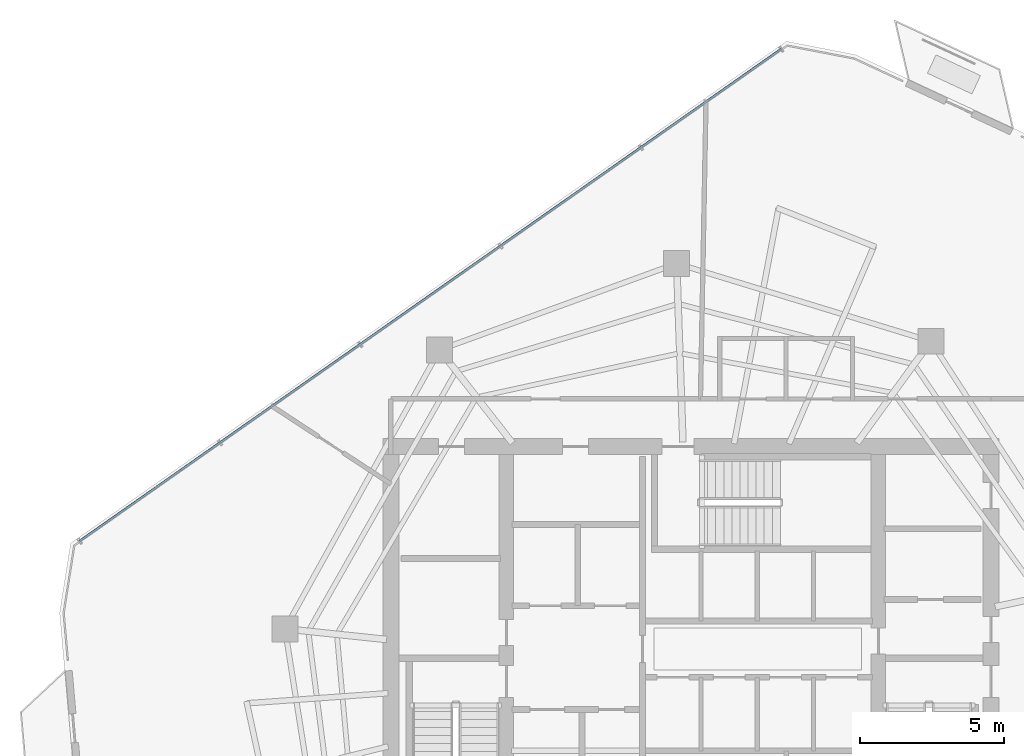
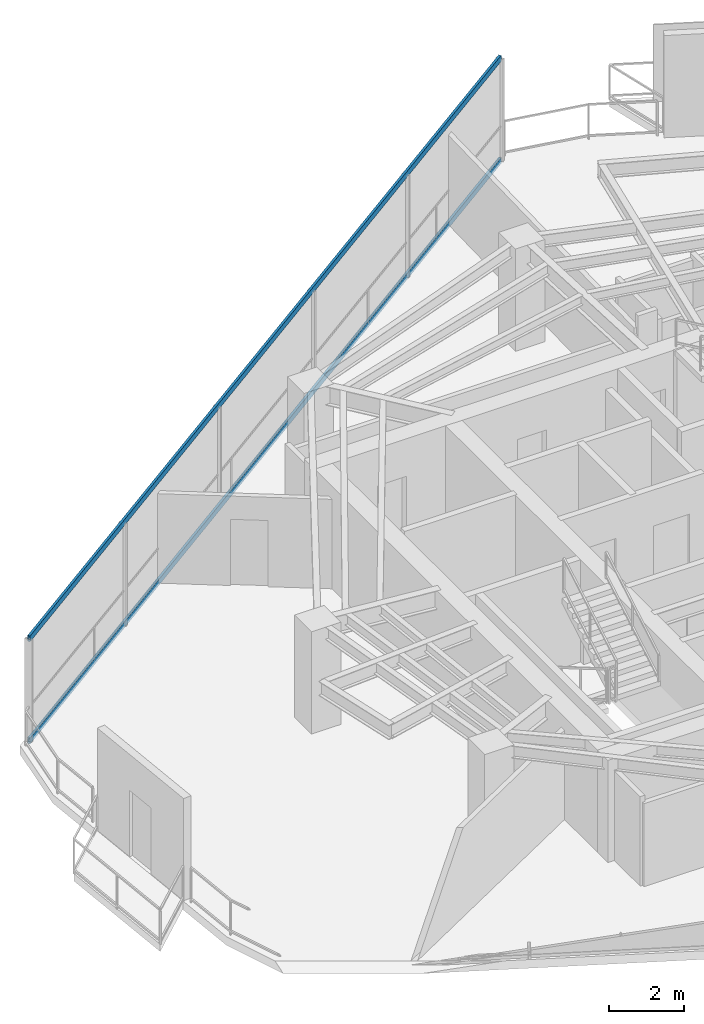
# One storey, part 13 of 20: 2 members, 1 element without a shape of its own.
"""IFC4 building model written with IfcOpenShell, lengths in metres."""

from ifc_helpers import new_model, si_unit, direction, frame, origin, origin_2d, place, context, subcontext, project, spatial, hollow_rectangle, extrude, material, layer, layer_set, material_profile, profile_set, type_object, element, aggregate, save


model = new_model("IFC4")

# Units and contexts
model_context = context("Model", 3, precision=1e-05, world=origin(), true_north=direction((0.0, 1.0)))
body_context = subcontext(model_context, "Body", "Model", "MODEL_VIEW")
ifc_project = project(units=[si_unit("LENGTHUNIT", "METRE"), si_unit("AREAUNIT", "SQUARE_METRE"), si_unit("VOLUMEUNIT", "CUBIC_METRE"), si_unit("PLANEANGLEUNIT", "RADIAN"), si_unit("MASSUNIT", "GRAM", prefix="KILO")], contexts=[model_context])

# Site, building, storey
site_placement = place(None, origin())
site = spatial("IfcSite", under=ifc_project, at=site_placement, CompositionType="ELEMENT")
building_placement = place(site_placement, origin())
building = spatial("IfcBuilding", under=site, at=building_placement, Name="Qarnah Convention Tower", CompositionType="ELEMENT")
storey_placement = place(building_placement, frame((0.0, 0.0, 198.60009765625)))
storey = spatial("IfcBuildingStorey", under=building, at=storey_placement, Name="L53", CompositionType="ELEMENT", Elevation=198.60009765625)

# Curtain wall, members
ifc_material_1 = material(Name="Tempered Low-E dark glass", Category="glass")
ifc_layer = layer(ifc_material_1, 0.174072265625)
ifc_layer_set = layer_set([ifc_layer], Name="Tempered Low-E dark glass")
curtain_wall_type = type_object("IfcCurtainWallType", Name="CWS-04", PredefinedType="NOTDEFINED", material=ifc_layer_set)
curtain_wall_placement = place(storey_placement, origin())
curtain_wall = element("IfcCurtainWall", 1, at=curtain_wall_placement, inside=storey, type_object=curtain_wall_type, Name="L53 unitised curtain wall CW-L53-F1", PredefinedType="NOTDEFINED")
ifc_material_2 = material(Name="Black anodised aluminium", Category="aluminium")
ifc_material_profile = material_profile(ifc_material_2, hollow_rectangle(XDim=0.074951171875, YDim=0.18994140625, WallThickness=0.0048828125, at=origin_2d()), Name="TRN-75X190")
ifc_profile_set = profile_set([ifc_material_profile], Name="Black anodised aluminium")
member_type = type_object("IfcMemberType", Name="TRN-T4", PredefinedType="USERDEFINED", material=ifc_profile_set)
member_1_placement = place(storey_placement, frame((16.010009765625, 30.919921875, 0.0), z_axis=(0.81873468739, 0.574172022711, 0.0), x_axis=(-0.574172022711, 0.81873468739, 0.0)))
member_1 = element("IfcMember", 2, at=member_1_placement, type_object=member_type, Name="CW-L53-F1 transom 1", ObjectType="TRANSOM", PredefinedType="USERDEFINED", context=body_context, shape_type="SweptSolid", body=[
    extrude(hollow_rectangle(XDim=0.074951171875, YDim=0.18994140625, WallThickness=0.0048828125, at=origin_2d()), origin(), (0.0, 0.0, 1.0), 29.70556640625),
])
member_2_placement = place(storey_placement, frame((16.010009765625, 30.919921875, 3.31982421875), z_axis=(0.81873468739, 0.574172022711, 0.0), x_axis=(-0.574172022711, 0.81873468739, 0.0)))
member_2 = element("IfcMember", 3, at=member_2_placement, type_object=member_type, Name="CW-L53-F1 transom 2", ObjectType="TRANSOM", PredefinedType="USERDEFINED", context=body_context, shape_type="SweptSolid", body=[
    extrude(hollow_rectangle(XDim=0.074951171875, YDim=0.18994140625, WallThickness=0.0048828125, at=origin_2d()), origin(), (0.0, 0.0, 1.0), 29.70556640625),
])
aggregate(curtain_wall, [member_1, member_2])

save(model, "model.ifc")
